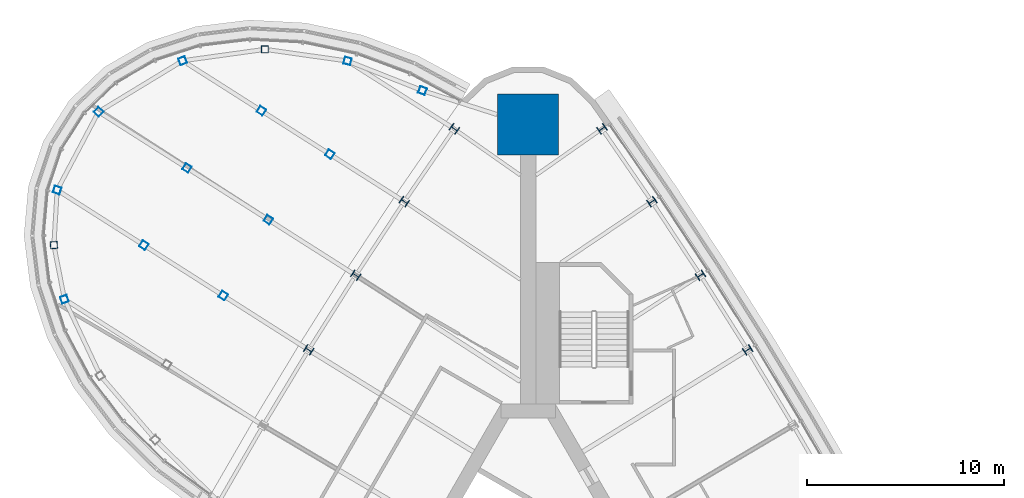
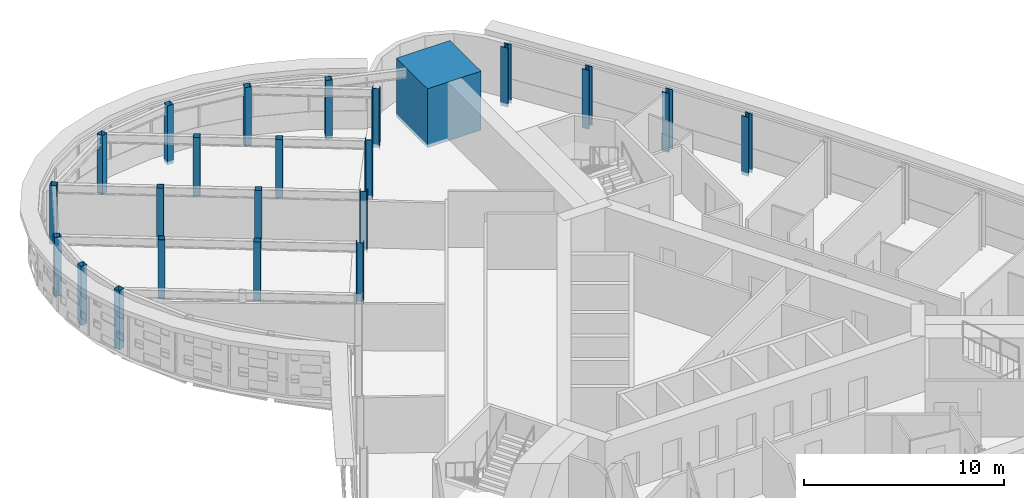
# One storey, part 3 of 17: 23 columns.
"""IFC4 building model written with IfcOpenShell, lengths in metres."""

import ifcopenshell
import ifcopenshell.guid

model = None  # the IFC model being written
_history = None  # IfcOwnerHistory: only IFC2X3 demands one
_inside = {}  # id of a spatial element -> (the spatial element, [elements in it])
_under = {}  # id of a project, library or spatial element -> (it, [spatial elements below it])
_declared = {}  # id of a project -> (the project, [libraries it declares])
_typed = {}  # id of a type object -> (the type object, [elements of that type])
_made_of = {}  # id of a material, layer set ... -> (it, [elements and type objects made of it])


def new_model(schema):
    """Start an empty IFC model of exactly this schema.

    Asked for "IFC4X3", IfcOpenShell would pick the latest addendum, in which some entities
    have other attributes; the version numbers below select the first issue.
    IFC2X3 requires an IfcOwnerHistory on every rooted entity: one is made here for all.
    """
    global model, _history
    if schema == "IFC4X3":
        model = ifcopenshell.file(schema_version=(4, 3, 0, 0))
    else:
        model = ifcopenshell.file(schema=schema)
    _inside.clear()
    _under.clear()
    _declared.clear()
    _typed.clear()
    _made_of.clear()
    _history = None
    if model.schema == "IFC2X3":
        org = make("IfcOrganization", Name="unknown")
        user = make(
            "IfcPersonAndOrganization",
            ThePerson=make("IfcPerson", FamilyName="unknown"),
            TheOrganization=org,
        )
        app = make(
            "IfcApplication",
            ApplicationDeveloper=org,
            Version="unknown",
            ApplicationFullName="unknown",
            ApplicationIdentifier="unknown",
        )
        _history = make(
            "IfcOwnerHistory",
            OwningUser=user,
            OwningApplication=app,
            ChangeAction="ADDED",
            CreationDate=0,
        )
    return model


def make(cls, **values):
    """One entity of the class cls with the attributes given. An attribute that is None is left unset."""
    return model.create_entity(
        cls, **{name: value for name, value in values.items() if value is not None}
    )


def rooted(cls, **values):
    """An entity with a GlobalId (a new one), such as an element, a storey or a relation."""
    return make(cls, GlobalId=ifcopenshell.guid.new(), OwnerHistory=_history, **values)


def si_unit(unit_type, name, prefix=None):
    """IfcSIUnit, for example si_unit("LENGTHUNIT", "METRE", prefix="MILLI")."""
    return make("IfcSIUnit", UnitType=unit_type, Prefix=prefix, Name=name)


def assignment(units):
    """IfcUnitAssignment: the units of a project."""
    return None if units is None else make("IfcUnitAssignment", Units=units)


def point(xyz):
    """IfcCartesianPoint."""
    return None if xyz is None else make("IfcCartesianPoint", Coordinates=xyz)


def direction(xyz):
    """IfcDirection."""
    return None if xyz is None else make("IfcDirection", DirectionRatios=xyz)


def frame(location, z_axis=None, x_axis=None):
    """IfcAxis2Placement3D, a coordinate frame: its origin and axes. An axis left out is left unset."""
    return make(
        "IfcAxis2Placement3D",
        Location=point(location),
        Axis=direction(z_axis),
        RefDirection=direction(x_axis),
    )


def frame_2d(location, x_axis=None):
    """IfcAxis2Placement2D, a coordinate frame in the plane: its origin and x axis."""
    return make(
        "IfcAxis2Placement2D", Location=point(location), RefDirection=direction(x_axis)
    )


def origin():
    """The frame at (0, 0, 0) with its axes left unset."""
    return frame((0.0, 0.0, 0.0))


def origin_2d():
    """The frame at (0, 0) in the plane with its x axis left unset."""
    return frame_2d((0.0, 0.0))


def place(relative_to, where):
    """IfcLocalPlacement: puts the frame where relative to a parent placement (None: the world)."""
    return make(
        "IfcLocalPlacement", PlacementRelTo=relative_to, RelativePlacement=where
    )


def context(
    kind, dimensions, precision=None, world=None, true_north=None, identifier=None
):
    """IfcGeometricRepresentationContext, for example the 3D "Model" context."""
    return make(
        "IfcGeometricRepresentationContext",
        ContextIdentifier=identifier,
        ContextType=kind,
        CoordinateSpaceDimension=dimensions,
        Precision=precision,
        WorldCoordinateSystem=world,
        TrueNorth=true_north,
    )


def subcontext(parent, identifier, kind, view, scale=None):
    """IfcGeometricRepresentationSubContext, for example "Body" below "Model"."""
    return make(
        "IfcGeometricRepresentationSubContext",
        ContextIdentifier=identifier,
        ContextType=kind,
        ParentContext=parent,
        TargetScale=scale,
        TargetView=view,
    )


def project(units=None, contexts=None):
    """IfcProject with its units and contexts."""
    return rooted(
        "IfcProject",
        Name="project",
        RepresentationContexts=contexts,
        UnitsInContext=assignment(units),
    )


def spatial(cls, under=None, at=None, **own):
    """A site, building, storey or space (cls), placed at a placement, below another one or the project."""
    s = rooted(cls, ObjectPlacement=at, **own)
    if under is not None:
        _under.setdefault(under.id(), (under, []))[1].append(s)
    return s


def profile(cls, at=None, kind="AREA", **sizes):
    """A parametric profile (cls). Its sizes go by their IFC names, for example OverallWidth=200.0."""
    return make(cls, ProfileType=kind, Position=at, **sizes)


def rectangle(**sizes):
    """IfcRectangleProfileDef."""
    return profile("IfcRectangleProfileDef", **sizes)


def hollow_rectangle(**sizes):
    """IfcRectangleHollowProfileDef."""
    return profile("IfcRectangleHollowProfileDef", **sizes)


def i_section(**sizes):
    """IfcIShapeProfileDef."""
    return profile("IfcIShapeProfileDef", **sizes)


def extrude(swept, where, along, depth):
    """IfcExtrudedAreaSolid: the profile swept, set in the frame where, extruded along a direction by depth."""
    return make(
        "IfcExtrudedAreaSolid",
        SweptArea=swept,
        Position=where,
        ExtrudedDirection=direction(along),
        Depth=depth,
    )


def shape(context_of_items, identifier, shape_type, items):
    """IfcShapeRepresentation: the items that make up one representation, for example the "Body"."""
    return make(
        "IfcShapeRepresentation",
        ContextOfItems=context_of_items,
        RepresentationIdentifier=identifier,
        RepresentationType=shape_type,
        Items=items,
    )


def material(Name=None, Category=None):
    """IfcMaterial."""
    return make("IfcMaterial", Name=Name, Category=Category)


def material_profile(
    of_material, cross_section, Name=None, Category=None, Priority=None
):
    """IfcMaterialProfile: a cross section and its material."""
    return make(
        "IfcMaterialProfile",
        Name=Name,
        Material=of_material,
        Profile=cross_section,
        Priority=Priority,
        Category=Category,
    )


def profile_set(profiles, Name=None, composite=None):
    """IfcMaterialProfileSet."""
    return make(
        "IfcMaterialProfileSet",
        Name=Name,
        MaterialProfiles=profiles,
        CompositeProfile=composite,
    )


def made_of(thing, what):
    """Note that an element or type object is made of a material, layer set ...; save() writes the relation."""
    if what is not None:
        _made_of.setdefault(what.id(), (what, []))[1].append(thing)
    return thing


def type_object(cls, material=None, **own):
    """A type object (cls), such as IfcWallType, which elements share."""
    return made_of(rooted(cls, **own), material)


def element(
    cls,
    number,
    at=None,
    inside=None,
    cuts=None,
    type_object=None,
    material=None,
    context=None,
    identifier="Body",
    shape_type=None,
    held_by="IfcProductDefinitionShape",
    body=None,
    shapes=None,
    **own,
):
    """One element of the class cls, such as IfcWall. Its Tag is "e" and its number.

    at: its placement. inside: the storey or other place that contains it. cuts: it is an
    opening in that element (IfcRelVoidsElement). A single representation is given by context,
    identifier, shape_type and body (its items); several are given by shapes. held_by: the class
    of the entity that holds the representations. save() writes the other relations.
    """
    e = rooted(cls, Tag="e%d" % number, ObjectPlacement=at, **own)
    if body is not None:
        shapes = [shape(context, identifier, shape_type, body)]
    if shapes is not None:
        e.Representation = make(held_by, Representations=shapes)
    if inside is not None:
        _inside.setdefault(inside.id(), (inside, []))[1].append(e)
    if cuts is not None:
        rooted(
            "IfcRelVoidsElement", RelatingBuildingElement=cuts, RelatedOpeningElement=e
        )
    if type_object is not None:
        _typed.setdefault(type_object.id(), (type_object, []))[1].append(e)
    return made_of(e, material)


def aggregate(whole, parts):
    """IfcRelAggregates: a whole, such as a stair, and the parts it consists of."""
    return rooted("IfcRelAggregates", RelatingObject=whole, RelatedObjects=parts)


def save(model, path):
    """Write the relations noted so far, then the file.

    IfcRelAggregates (storeys below a building ...), IfcRelContainedInSpatialStructure (elements
    in a storey), IfcRelDefinesByType, IfcRelAssociatesMaterial and IfcRelDeclares: one each for
    every whole, place, type object, material and project.
    """
    for whole, parts in _under.values():
        aggregate(whole, parts)
    for where, things in _inside.values():
        rooted(
            "IfcRelContainedInSpatialStructure",
            RelatedElements=things,
            RelatingStructure=where,
        )
    for kind, things in _typed.values():
        rooted("IfcRelDefinesByType", RelatedObjects=things, RelatingType=kind)
    for what, things in _made_of.values():
        rooted("IfcRelAssociatesMaterial", RelatedObjects=things, RelatingMaterial=what)
    for by, libraries in _declared.values():
        rooted("IfcRelDeclares", RelatingContext=by, RelatedDefinitions=libraries)
    model.write(path)


model = new_model("IFC4")

# Units and contexts
model_context = context("Model", 3, precision=1e-05, world=origin(), true_north=direction((0.0, 1.0)))
body_context = subcontext(model_context, "Body", "Model", "MODEL_VIEW")
ifc_project = project(units=[si_unit("LENGTHUNIT", "METRE"), si_unit("AREAUNIT", "SQUARE_METRE"), si_unit("VOLUMEUNIT", "CUBIC_METRE"), si_unit("PLANEANGLEUNIT", "RADIAN"), si_unit("MASSUNIT", "GRAM", prefix="KILO")], contexts=[model_context])

# Site, building, storey
site_placement = place(None, origin())
site = spatial("IfcSite", under=ifc_project, at=site_placement, CompositionType="ELEMENT")
building_placement = place(site_placement, origin())
building = spatial("IfcBuilding", under=site, at=building_placement, Name="Noor Cloister Tower", CompositionType="ELEMENT")
storey_placement = place(building_placement, frame((0.0, 0.0, 102.300048828125)))
storey = spatial("IfcBuildingStorey", under=building, at=storey_placement, Name="L26", CompositionType="ELEMENT", Elevation=102.300048828125)

# Columns
ifc_material_1 = material(Name="Steel ASTM A992 Gr 50", Category="steel")
ifc_material_profile_1 = material_profile(ifc_material_1, i_section(OverallWidth=0.40087890625, OverallDepth=0.39892578125, WebThickness=0.02490234375, FlangeThickness=0.03955078125, FilletRadius=0.015380859375, at=origin_2d()), Name="W360x314")
ifc_profile_set_1 = profile_set([ifc_material_profile_1], Name="Steel ASTM A992 Gr 50")
column_type_1 = type_object("IfcColumnType", Name="Column W360x314", PredefinedType="COLUMN", material=ifc_profile_set_1)
for number, where, z_axis, x_axis, name in (
    (1, (-3.754638671875, 25.463623046875, -0.199951171875), (0.0, 0.0, 1.0), (-0.57464761374, -0.818400953092, 0.0), "Column NW 01 L26"),
    (2, (-6.2978515625, 21.7646484375, -0.199951171875), (0.0, 0.0, 1.0), (-0.558428529917, -0.829552636651, 0.0), "Column NW 02 L26"),
    (3, (-8.76806640625, 18.01611328125, -0.199951171875), (0.0, 0.0, 1.0), (-0.541993100424, -0.840382935984, 0.0), "Column NW 03 L26"),
    (4, (-11.163818359375, 14.2197265625, -0.199951171875), (0.0, 0.0, 1.0), (-0.525347692669, -0.850887655221, 0.0), "Column NW 04 L26"),
    (5, (11.163818359375, 14.2197265625, -0.199951171875), (0.0, 0.0, 1.0), (-0.525347692669, 0.850887655221, 0.0), "Column NE 07 L26"),
    (6, (8.76806640625, 18.01611328125, -0.199951171875), (0.0, 0.0, 1.0), (-0.541993100424, 0.840382935984, 0.0), "Column NE 08 L26"),
    (7, (6.2978515625, 21.7646484375, -0.199951171875), (0.0, 0.0, 1.0), (-0.558428529917, 0.829552636651, 0.0), "Column NE 09 L26"),
    (8, (3.754638671875, 25.463623046875, -0.199951171875), (0.0, 0.0, 1.0), (-0.57464761374, 0.818400953092, 0.0), "Column NE 10 L26"),
):
    element("IfcColumn", number, at=place(storey_placement, frame(where, z_axis=z_axis, x_axis=x_axis)), inside=storey, type_object=column_type_1, Name=name, PredefinedType="COLUMN", context=body_context, shape_type="SweptSolid", body=[
        extrude(i_section(OverallWidth=0.40087890625, OverallDepth=0.39892578125, WebThickness=0.02490234375, FlangeThickness=0.03955078125, FilletRadius=0.015380859375, at=origin_2d()), origin(), (0.0, 0.0, 1.0), 3.599853515625),
    ])
ifc_material_2 = material(Name="Concrete C80/95", Category="concrete")
ifc_material_profile_2 = material_profile(ifc_material_2, rectangle(XDim=3.10009765625, YDim=3.10009765625, at=origin_2d()), Name="RC 3100x3100")
ifc_profile_set_2 = profile_set([ifc_material_profile_2], Name="Concrete C80/95")
column_type_2 = type_object("IfcColumnType", Name="Corner pier 3100 x 3100 C80/95", PredefinedType="COLUMN", material=ifc_profile_set_2)
column_placement = place(storey_placement, frame((0.0, 25.68408203125, -0.199951171875), z_axis=(0.0, 0.0, 1.0), x_axis=(0.0, 1.0, 0.0)))
element("IfcColumn", 9, at=column_placement, inside=storey, type_object=column_type_2, Name="Corner pier N L26", PredefinedType="COLUMN", context=body_context, shape_type="SweptSolid", body=[
    extrude(rectangle(XDim=3.10009765625, YDim=3.10009765625, at=origin_2d()), origin(), (0.0, 0.0, 1.0), 3.599853515625),
])
ifc_material_3 = material(Name="Steel ASTM A500 Gr C", Category="steel")
ifc_material_profile_3 = material_profile(ifc_material_3, hollow_rectangle(XDim=0.35595703125, YDim=0.35595703125, WallThickness=0.0126953125, at=origin_2d()), Name="HSS355.6x355.6x12.7")
ifc_profile_set_3 = profile_set([ifc_material_profile_3], Name="Steel ASTM A500 Gr C")
column_type_3 = type_object("IfcColumnType", Name="Pod post HSS355.6x355.6x12.7", PredefinedType="COLUMN", material=ifc_profile_set_3)
for number, where, z_axis, x_axis, name in (
    (10, (-10.08447265625, 24.1708984375, -0.199951171875), (0.0, 0.0, 1.0), (-0.843995500683, 0.536350253871, 0.0), "Pod post 2 L26 line 2 node 1"),
    (11, (-13.56640625, 26.383544921875, -0.199951171875), (0.0, 0.0, 1.0), (-0.843995500683, 0.536350253871, 0.0), "Pod post 2 L26 line 2 node 2"),
    (12, (-13.2119140625, 20.840087890625, -0.199951171875), (0.0, 0.0, 1.0), (-0.843995500683, 0.536350253871, 0.0), "Pod post 2 L26 line 3 node 1"),
    (13, (-17.3544921875, 23.47265625, -0.199951171875), (0.0, 0.0, 1.0), (-0.843995500683, 0.536350253871, 0.0), "Pod post 2 L26 line 3 node 2"),
    (14, (-15.507080078125, 16.979736328125, -0.199951171875), (0.0, 0.0, 1.0), (-0.843995500683, 0.536350253871, 0.0), "Pod post 2 L26 line 4 node 1"),
    (15, (-19.5478515625, 19.5478515625, -0.199951171875), (0.0, 0.0, 1.0), (-0.843995500683, 0.536350253871, 0.0), "Pod post 2 L26 line 4 node 2"),
    (16, (-5.373046875, 27.410400390625, -0.199951171875), (0.0, 0.0, 1.0), (-0.934997461758, 0.354654404325, 0.0), "Pod post 2 L26 ring 2"),
    (17, (-9.184814453125, 28.91455078125, -0.199951171875), (0.0, 0.0, 1.0), (-0.967384048486, 0.253314237134, 0.0), "Pod post 2 L26 ring 3"),
    (18, (-13.3857421875, 29.508544921875, -0.199951171875), (0.0, 0.0, 1.0), (-0.999998491498, 0.001736951636, 0.0), "Pod post 2 L26 ring 4"),
    (19, (-17.572021484375, 28.92919921875, -0.199951171875), (0.0, 0.0, 1.0), (-0.936172595817, -0.351540710077, 0.0), "Pod post 2 L26 ring 5"),
    (20, (-21.8505859375, 26.329833984375, -0.199951171875), (0.0, 0.0, 1.0), (-0.69632321995, -0.717728342312, 0.0), "Pod post 2 L26 ring 6"),
    (21, (-23.955810546875, 22.34912109375, -0.199951171875), (0.0, 0.0, 1.0), (-0.317909141458, -0.948121183065, 0.0), "Pod post 2 L26 ring 7"),
    (22, (-24.1240234375, 19.549560546875, -0.199951171875), (0.0, 0.0, 1.0), (0.066690983869, -0.997773678081, 0.0), "Pod post 2 L26 ring 8"),
    (23, (-23.584716796875, 16.795654296875, -0.199951171875), (0.0, 0.0, 1.0), (0.335654108037, -0.941985307612, 0.0), "Pod post 2 L26 ring 9"),
):
    element("IfcColumn", number, at=place(storey_placement, frame(where, z_axis=z_axis, x_axis=x_axis)), inside=storey, type_object=column_type_3, Name=name, PredefinedType="COLUMN", context=body_context, shape_type="SweptSolid", body=[
        extrude(hollow_rectangle(XDim=0.35595703125, YDim=0.35595703125, WallThickness=0.0126953125, at=origin_2d()), origin(), (0.0, 0.0, 1.0), 3.599853515625),
    ])

save(model, "model.ifc")
